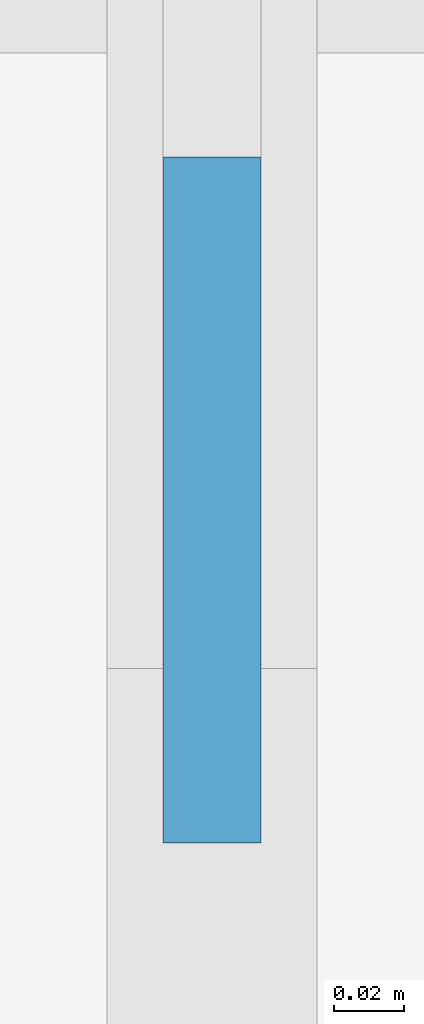
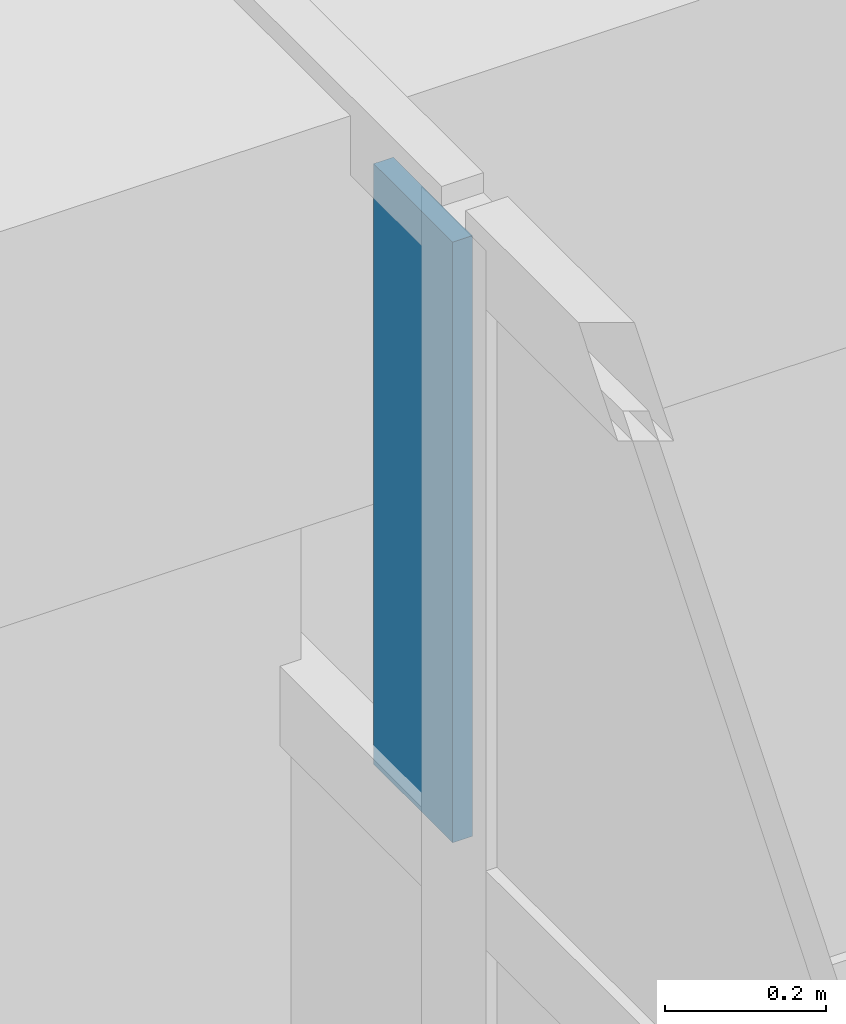
# One storey, part 38 of 85: 1 plate, 1 element without a shape of its own.
"""IFC4 building model written with IfcOpenShell, lengths in metres."""

from ifc_helpers import new_model, si_unit, direction, frame, origin, origin_2d, place, context, subcontext, project, spatial, rectangle, extrude, material, layer, layer_set, type_object, element, aggregate, save


model = new_model("IFC4")

# Units and contexts
model_context = context("Model", 3, precision=1e-05, world=origin(), true_north=direction((0.0, 1.0)))
body_context = subcontext(model_context, "Body", "Model", "MODEL_VIEW")
ifc_project = project(units=[si_unit("LENGTHUNIT", "METRE"), si_unit("AREAUNIT", "SQUARE_METRE"), si_unit("VOLUMEUNIT", "CUBIC_METRE"), si_unit("PLANEANGLEUNIT", "RADIAN"), si_unit("MASSUNIT", "GRAM", prefix="KILO")], contexts=[model_context])

# Site, building, storey
site_placement = place(None, origin())
site = spatial("IfcSite", under=ifc_project, at=site_placement, CompositionType="ELEMENT")
building_placement = place(site_placement, origin())
building = spatial("IfcBuilding", under=site, at=building_placement, Name="Rain Tree Exposition and Congress Centre", CompositionType="ELEMENT")
storey_placement = place(building_placement, frame((0.0, 0.0, 15.0)))
storey = spatial("IfcBuildingStorey", under=building, at=storey_placement, Name="L03", CompositionType="ELEMENT", Elevation=15.0)

# Curtain wall, plate
ifc_material_1 = material(Name="Aluminium curtain wall", Category="aluminium")
curtain_wall_type = type_object("IfcCurtainWallType", Name="Wing curtain wall 1925", PredefinedType="NOTDEFINED", material=ifc_material_1)
curtain_wall_placement = place(storey_placement, origin())
curtain_wall = element("IfcCurtainWall", 1, at=curtain_wall_placement, inside=storey, type_object=curtain_wall_type, Name="Curtain wall CWW506", PredefinedType="NOTDEFINED")
ifc_material_2 = material(Name="Double glazed unit", Category="glass")
ifc_layer = layer(ifc_material_2, 0.028076171875)
ifc_layer_set = layer_set([ifc_layer], Name="Double glazed unit")
plate_type = type_object("IfcPlateType", Name="Wing glazing panel 28", PredefinedType="CURTAIN_PANEL", material=ifc_layer_set)
plate_placement = place(storey_placement, frame((6.800048828125, 41.572021484375, 3.18017578125), z_axis=(0.0, 0.0, 1.0), x_axis=(0.0, 1.0, 0.0)))
plate = element("IfcPlate", 2, at=plate_placement, type_object=plate_type, Name="CWW506 panel 8.4", PredefinedType="CURTAIN_PANEL", context=body_context, shape_type="SweptSolid", body=[
    extrude(rectangle(XDim=0.1962890625, YDim=0.028076171875, at=origin_2d()), origin(), (0.0, 0.0, 1.0), 0.909912109375),
])
aggregate(curtain_wall, [plate])

save(model, "model.ifc")
